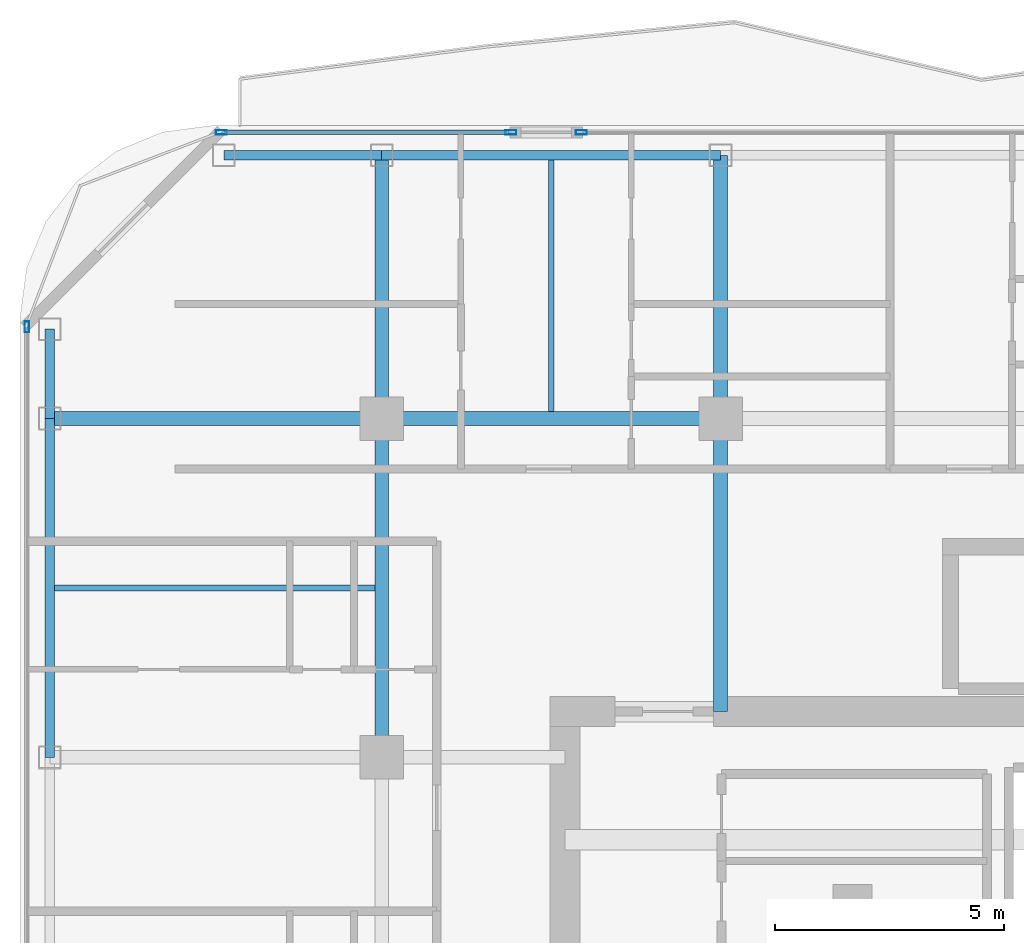
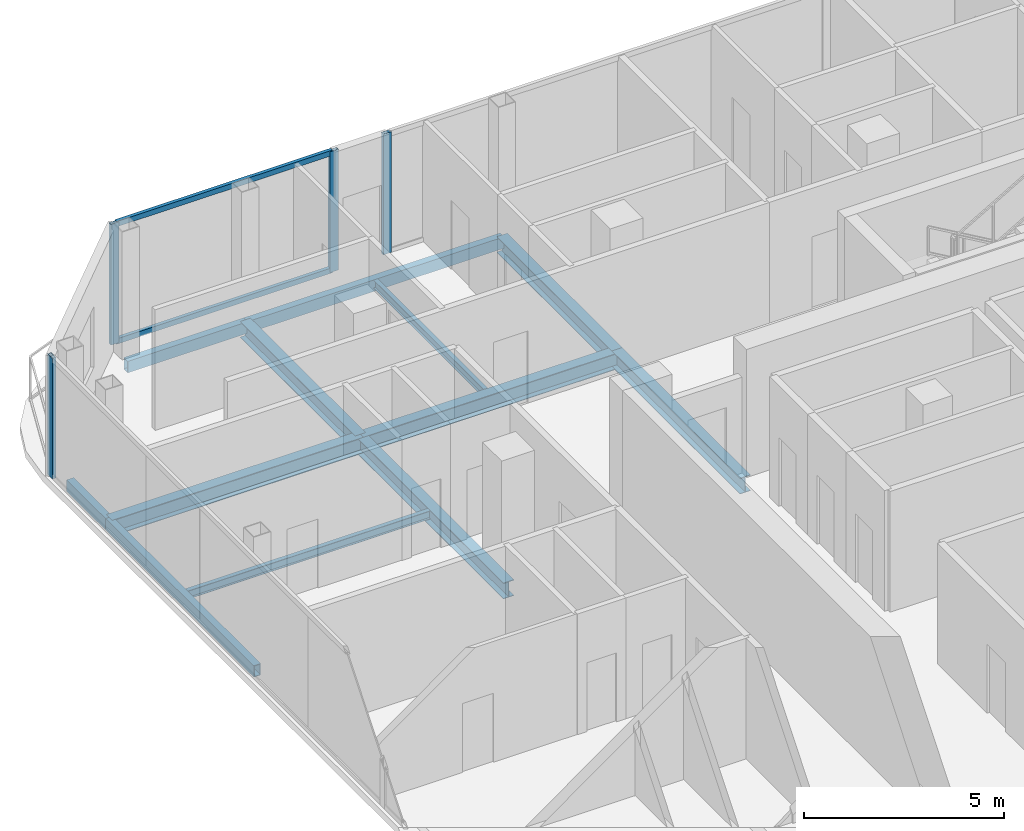
# One storey, part 11 of 23: 12 beams, 6 members, 3 elements without a shape of their own.
"""IFC4 building model written with IfcOpenShell, lengths in metres."""

from ifc_helpers import new_model, si_unit, direction, frame, origin, origin_2d, place, context, subcontext, project, spatial, hollow_rectangle, i_section, extrude, material, layer, layer_set, material_profile, profile_set, type_object, element, aggregate, save


model = new_model("IFC4")

# Units and contexts
model_context = context("Model", 3, precision=1e-05, world=origin(), true_north=direction((0.0, 1.0)))
body_context = subcontext(model_context, "Body", "Model", "MODEL_VIEW")
ifc_project = project(units=[si_unit("LENGTHUNIT", "METRE"), si_unit("AREAUNIT", "SQUARE_METRE"), si_unit("VOLUMEUNIT", "CUBIC_METRE"), si_unit("PLANEANGLEUNIT", "RADIAN"), si_unit("MASSUNIT", "GRAM", prefix="KILO")], contexts=[model_context])

# Site, building, storey
site_placement = place(None, origin())
site = spatial("IfcSite", under=ifc_project, at=site_placement, CompositionType="ELEMENT")
building_placement = place(site_placement, origin())
building = spatial("IfcBuilding", under=site, at=building_placement, Name="Khorvyn Point Tower", CompositionType="ELEMENT")
storey_placement = place(building_placement, frame((0.0, 0.0, 293.699951171875)))
storey = spatial("IfcBuildingStorey", under=building, at=storey_placement, Name="L72", CompositionType="ELEMENT", Elevation=293.699951171875)

# Curtain wall, members
ifc_material_1 = material(Name="Anodised aluminium 6063-T6 and laminated Low-E glass", Category="aluminium")
ifc_layer = layer(ifc_material_1, 0.18994140625)
ifc_layer_set = layer_set([ifc_layer], Name="Stick-Built High-Wind Curtain Wall CW-SYS-04")
curtain_wall_type = type_object("IfcCurtainWallType", Name="Stick-Built High-Wind Curtain Wall CW-SYS-04", PredefinedType="NOTDEFINED", material=ifc_layer_set)
curtain_wall_1_placement = place(storey_placement, origin())
curtain_wall_1 = element("IfcCurtainWall", 1, at=curtain_wall_1_placement, inside=storey, type_object=curtain_wall_type, Name="Curtain Wall", PredefinedType="NOTDEFINED")
ifc_material_2 = material(Name="Anodised aluminium 6063-T6", Category="aluminium")
ifc_material_profile_1 = material_profile(ifc_material_2, hollow_rectangle(XDim=0.10009765625, YDim=0.239990234375, WallThickness=0.0048828125, at=origin_2d()))
ifc_profile_set_1 = profile_set([ifc_material_profile_1], Name="Anodised aluminium 6063-T6 ALU-MUL-100x240")
member_type_1 = type_object("IfcMemberType", Name="Anodised Aluminium 6063-T6 Mullion ALU-MUL-100x240", PredefinedType="MULLION", material=ifc_profile_set_1)
member_1_placement = place(storey_placement, frame((-18.300048828125, 21.050048828125, 0.0), z_axis=(0.0, 0.0, 1.0), x_axis=(0.0, 1.0, 0.0)))
member_1 = element("IfcMember", 2, at=member_1_placement, type_object=member_type_1, Name="Transom", PredefinedType="MULLION", context=body_context, shape_type="SweptSolid", body=[
    extrude(hollow_rectangle(XDim=0.10009765625, YDim=0.239990234375, WallThickness=0.0048828125, at=origin_2d()), origin(), (0.0, 0.0, 1.0), 3.679931640625),
])
member_2_placement = place(storey_placement, frame((-11.97998046875, 21.050048828125, 0.0), z_axis=(0.0, 0.0, 1.0), x_axis=(0.0, 1.0, 0.0)))
member_2 = element("IfcMember", 3, at=member_2_placement, type_object=member_type_1, Name="Transom", PredefinedType="MULLION", context=body_context, shape_type="SweptSolid", body=[
    extrude(hollow_rectangle(XDim=0.10009765625, YDim=0.239990234375, WallThickness=0.0048828125, at=origin_2d()), origin(), (0.0, 0.0, 1.0), 3.679931640625),
])

# Curtain wall, member
curtain_wall_2_placement = place(storey_placement, origin())
curtain_wall_2 = element("IfcCurtainWall", 4, at=curtain_wall_2_placement, inside=storey, type_object=curtain_wall_type, Name="Curtain Wall", PredefinedType="NOTDEFINED")
member_3_placement = place(storey_placement, frame((-10.43994140625, 21.050048828125, 0.0), z_axis=(0.0, 0.0, 1.0), x_axis=(0.0, 1.0, 0.0)))
member_3 = element("IfcMember", 5, at=member_3_placement, type_object=member_type_1, Name="Transom", PredefinedType="MULLION", context=body_context, shape_type="SweptSolid", body=[
    extrude(hollow_rectangle(XDim=0.10009765625, YDim=0.239990234375, WallThickness=0.0048828125, at=origin_2d()), origin(), (0.0, 0.0, 1.0), 3.679931640625),
])
aggregate(curtain_wall_2, [member_3])

curtain_wall_3_placement = place(storey_placement, origin())
curtain_wall_3 = element("IfcCurtainWall", 6, at=curtain_wall_3_placement, inside=storey, type_object=curtain_wall_type, Name="Curtain Wall", PredefinedType="NOTDEFINED")
member_4_placement = place(storey_placement, frame((-22.550048828125, 16.800048828125, 0.0), z_axis=(0.0, 0.0, 1.0), x_axis=(-1.0, 0.0, 0.0)))
member_4 = element("IfcMember", 7, at=member_4_placement, type_object=member_type_1, Name="Transom", PredefinedType="MULLION", context=body_context, shape_type="SweptSolid", body=[
    extrude(hollow_rectangle(XDim=0.10009765625, YDim=0.239990234375, WallThickness=0.0048828125, at=origin_2d()), origin(), (0.0, 0.0, 1.0), 3.679931640625),
])
aggregate(curtain_wall_3, [member_4])

# Member
ifc_material_profile_2 = material_profile(ifc_material_2, hollow_rectangle(XDim=0.10009765625, YDim=0.159912109375, WallThickness=0.00439453125, at=origin_2d()))
ifc_profile_set_2 = profile_set([ifc_material_profile_2], Name="Anodised aluminium 6063-T6 ALU-TRN-100x160")
member_type_2 = type_object("IfcMemberType", Name="Anodised Aluminium 6063-T6 Transom ALU-TRN-100x160", PredefinedType="USERDEFINED", material=ifc_profile_set_2)
member_5_placement = place(storey_placement, frame((-18.25, 21.050048828125, 0.050048828125), z_axis=(1.0, 0.0, 0.0), x_axis=(0.0, 1.0, 0.0)))
member_5 = element("IfcMember", 8, at=member_5_placement, type_object=member_type_2, Name="Transom", ObjectType="TRANSOM", PredefinedType="USERDEFINED", context=body_context, shape_type="SweptSolid", body=[
    extrude(hollow_rectangle(XDim=0.10009765625, YDim=0.159912109375, WallThickness=0.00439453125, at=origin_2d()), origin(), (0.0, 0.0, 1.0), 6.219970703125),
])

member_6_placement = place(storey_placement, frame((-18.25, 21.050048828125, 3.630126953125), z_axis=(1.0, 0.0, 0.0), x_axis=(0.0, 1.0, 0.0)))
member_6 = element("IfcMember", 9, at=member_6_placement, type_object=member_type_2, Name="Transom", ObjectType="TRANSOM", PredefinedType="USERDEFINED", context=body_context, shape_type="SweptSolid", body=[
    extrude(hollow_rectangle(XDim=0.10009765625, YDim=0.159912109375, WallThickness=0.00439453125, at=origin_2d()), origin(), (0.0, 0.0, 1.0), 6.219970703125),
])

aggregate(curtain_wall_1, [member_1, member_2, member_5, member_6])

# Beams
ifc_material_3 = material(Name="Steel S355", Category="steel")
ifc_material_profile_3 = material_profile(ifc_material_3, i_section(OverallWidth=0.125, OverallDepth=0.25, WebThickness=0.006103515625, FlangeThickness=0.009033203125, at=origin_2d()))
ifc_profile_set_3 = profile_set([ifc_material_profile_3], Name="Steel S355 H250x125x6x9")
beam_type_1 = type_object("IfcBeamType", Name="Steel S355 Joist H250x125x6x9", PredefinedType="JOIST", material=ifc_profile_set_3)
beam_1_placement = place(storey_placement, frame((-21.949951171875, 11.10009765625, -0.344970703125), z_axis=(1.0, 0.0, 0.0), x_axis=(0.0, 1.0, 0.0)))
element("IfcBeam", 10, at=beam_1_placement, inside=storey, type_object=beam_type_1, Name="Beam", PredefinedType="JOIST", context=body_context, shape_type="SweptSolid", body=[
    extrude(i_section(OverallWidth=0.125, OverallDepth=0.25, WebThickness=0.006103515625, FlangeThickness=0.009033203125, at=origin_2d()), origin(), (0.0, 0.0, 1.0), 7.0),
])
beam_2_placement = place(storey_placement, frame((-11.10009765625, 14.949951171875, -0.344970703125), z_axis=(0.0, 1.0, 0.0), x_axis=(-1.0, 0.0, 0.0)))
element("IfcBeam", 11, at=beam_2_placement, inside=storey, type_object=beam_type_1, Name="Beam", PredefinedType="JOIST", context=body_context, shape_type="SweptSolid", body=[
    extrude(i_section(OverallWidth=0.125, OverallDepth=0.25, WebThickness=0.006103515625, FlangeThickness=0.009033203125, at=origin_2d()), origin(), (0.0, 0.0, 1.0), 5.5),
])
ifc_material_profile_4 = material_profile(ifc_material_3, i_section(OverallWidth=0.300048828125, OverallDepth=0.488037109375, WebThickness=0.010986328125, FlangeThickness=0.01806640625, at=origin_2d()))
ifc_profile_set_4 = profile_set([ifc_material_profile_4], Name="Steel S355 H488x300x11x18")
beam_type_2 = type_object("IfcBeamType", Name="Steel S355 Spandrel H488x300x11x18", PredefinedType="SPANDREL", material=ifc_profile_set_4)
beam_3_placement = place(storey_placement, frame((-22.050048828125, 14.800048828125, -0.4638671875), z_axis=(1.0, 0.0, 0.0), x_axis=(0.0, 1.0, 0.0)))
element("IfcBeam", 12, at=beam_3_placement, inside=storey, type_object=beam_type_2, Name="Beam", PredefinedType="SPANDREL", context=body_context, shape_type="SweptSolid", body=[
    extrude(i_section(OverallWidth=0.300048828125, OverallDepth=0.488037109375, WebThickness=0.010986328125, FlangeThickness=0.01806640625, at=origin_2d()), origin(), (0.0, 0.0, 1.0), 7.25),
])
for number, where, z_axis, x_axis, name in (
    (13, (-14.800048828125, 14.800048828125, -0.4638671875), (1.0, 0.0, 0.0), (0.0, 1.0, 0.0), "Beam"),
    (14, (-14.800048828125, 7.39990234375, -0.4638671875), (0.0, 1.0, 0.0), (-1.0, 0.0, 0.0), "Beam"),
):
    element("IfcBeam", number, at=place(storey_placement, frame(where, z_axis=z_axis, x_axis=x_axis)), inside=storey, type_object=beam_type_2, Name=name, PredefinedType="SPANDREL", context=body_context, shape_type="SweptSolid", body=[
        extrude(i_section(OverallWidth=0.300048828125, OverallDepth=0.488037109375, WebThickness=0.010986328125, FlangeThickness=0.01806640625, at=origin_2d()), origin(), (0.0, 0.0, 1.0), 7.400146484375),
    ])
beam_4_placement = place(storey_placement, frame((-14.800048828125, 14.800048828125, -0.4638671875), z_axis=(0.0, 1.0, 0.0), x_axis=(-1.0, 0.0, 0.0)))
element("IfcBeam", 15, at=beam_4_placement, inside=storey, type_object=beam_type_2, Name="Beam", PredefinedType="SPANDREL", context=body_context, shape_type="SweptSolid", body=[
    extrude(i_section(OverallWidth=0.300048828125, OverallDepth=0.488037109375, WebThickness=0.010986328125, FlangeThickness=0.01806640625, at=origin_2d()), origin(), (0.0, 0.0, 1.0), 5.75),
])
beam_5_placement = place(storey_placement, frame((-7.39990234375, 8.39990234375, -0.4638671875), z_axis=(0.0, 1.0, 0.0), x_axis=(-1.0, 0.0, 0.0)))
element("IfcBeam", 16, at=beam_5_placement, inside=storey, type_object=beam_type_2, Name="Beam", PredefinedType="SPANDREL", context=body_context, shape_type="SweptSolid", body=[
    extrude(i_section(OverallWidth=0.300048828125, OverallDepth=0.488037109375, WebThickness=0.010986328125, FlangeThickness=0.01806640625, at=origin_2d()), origin(), (0.0, 0.0, 1.0), 6.400146484375),
])
beam_6_placement = place(storey_placement, frame((-7.39990234375, 14.800048828125, -0.4638671875), z_axis=(0.0, 1.0, 0.0), x_axis=(-1.0, 0.0, 0.0)))
element("IfcBeam", 17, at=beam_6_placement, inside=storey, type_object=beam_type_2, Name="Beam", PredefinedType="SPANDREL", context=body_context, shape_type="SweptSolid", body=[
    extrude(i_section(OverallWidth=0.300048828125, OverallDepth=0.488037109375, WebThickness=0.010986328125, FlangeThickness=0.01806640625, at=origin_2d()), origin(), (0.0, 0.0, 1.0), 5.75),
])
ifc_material_profile_5 = material_profile(ifc_material_3, hollow_rectangle(XDim=0.199951171875, YDim=0.35009765625, WallThickness=0.013916015625, at=origin_2d()))
ifc_profile_set_5 = profile_set([ifc_material_profile_5], Name="Steel S355 RHS350x200x14")
beam_type_3 = type_object("IfcBeamType", Name="Steel S355 Spandrel RHS350x200x14", PredefinedType="SPANDREL", material=ifc_profile_set_5)
beam_7_placement = place(storey_placement, frame((-18.25, 20.550048828125, -0.39501953125), z_axis=(1.0, 0.0, 0.0), x_axis=(0.0, 1.0, 0.0)))
element("IfcBeam", 18, at=beam_7_placement, inside=storey, type_object=beam_type_3, Name="Beam", PredefinedType="SPANDREL", context=body_context, shape_type="SweptSolid", body=[
    extrude(hollow_rectangle(XDim=0.199951171875, YDim=0.35009765625, WallThickness=0.013916015625, at=origin_2d()), origin(), (0.0, 0.0, 1.0), 3.449951171875),
])
for number, where, z_axis, x_axis, name in (
    (19, (-14.800048828125, 20.550048828125, -0.39501953125), (1.0, 0.0, 0.0), (0.0, 1.0, 0.0), "Beam"),
    (20, (-22.050048828125, 7.39990234375, -0.39501953125), (0.0, 1.0, 0.0), (-1.0, 0.0, 0.0), "Beam"),
):
    element("IfcBeam", number, at=place(storey_placement, frame(where, z_axis=z_axis, x_axis=x_axis)), inside=storey, type_object=beam_type_3, Name=name, PredefinedType="SPANDREL", context=body_context, shape_type="SweptSolid", body=[
        extrude(hollow_rectangle(XDim=0.199951171875, YDim=0.35009765625, WallThickness=0.013916015625, at=origin_2d()), origin(), (0.0, 0.0, 1.0), 7.400146484375),
    ])
beam_8_placement = place(storey_placement, frame((-22.050048828125, 14.800048828125, -0.39501953125), z_axis=(0.0, 1.0, 0.0), x_axis=(-1.0, 0.0, 0.0)))
element("IfcBeam", 21, at=beam_8_placement, inside=storey, type_object=beam_type_3, Name="Beam", PredefinedType="SPANDREL", context=body_context, shape_type="SweptSolid", body=[
    extrude(hollow_rectangle(XDim=0.199951171875, YDim=0.35009765625, WallThickness=0.013916015625, at=origin_2d()), origin(), (0.0, 0.0, 1.0), 1.949951171875),
])

save(model, "model.ifc")
